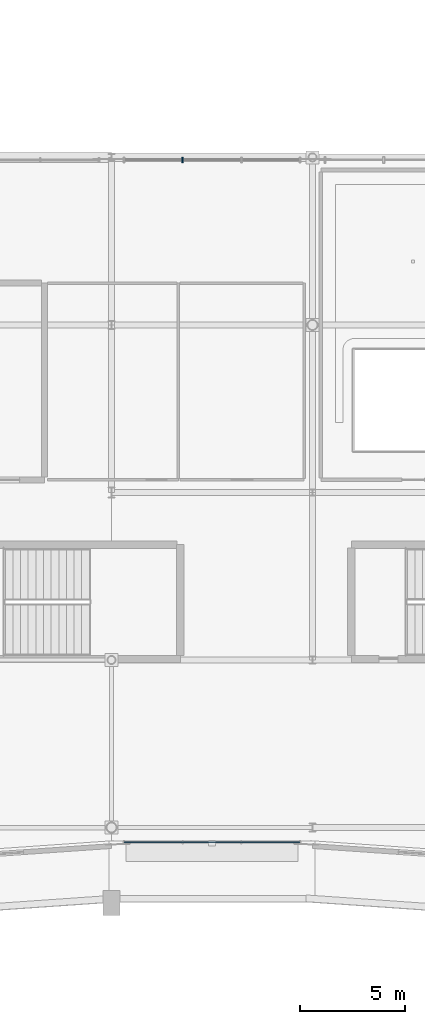
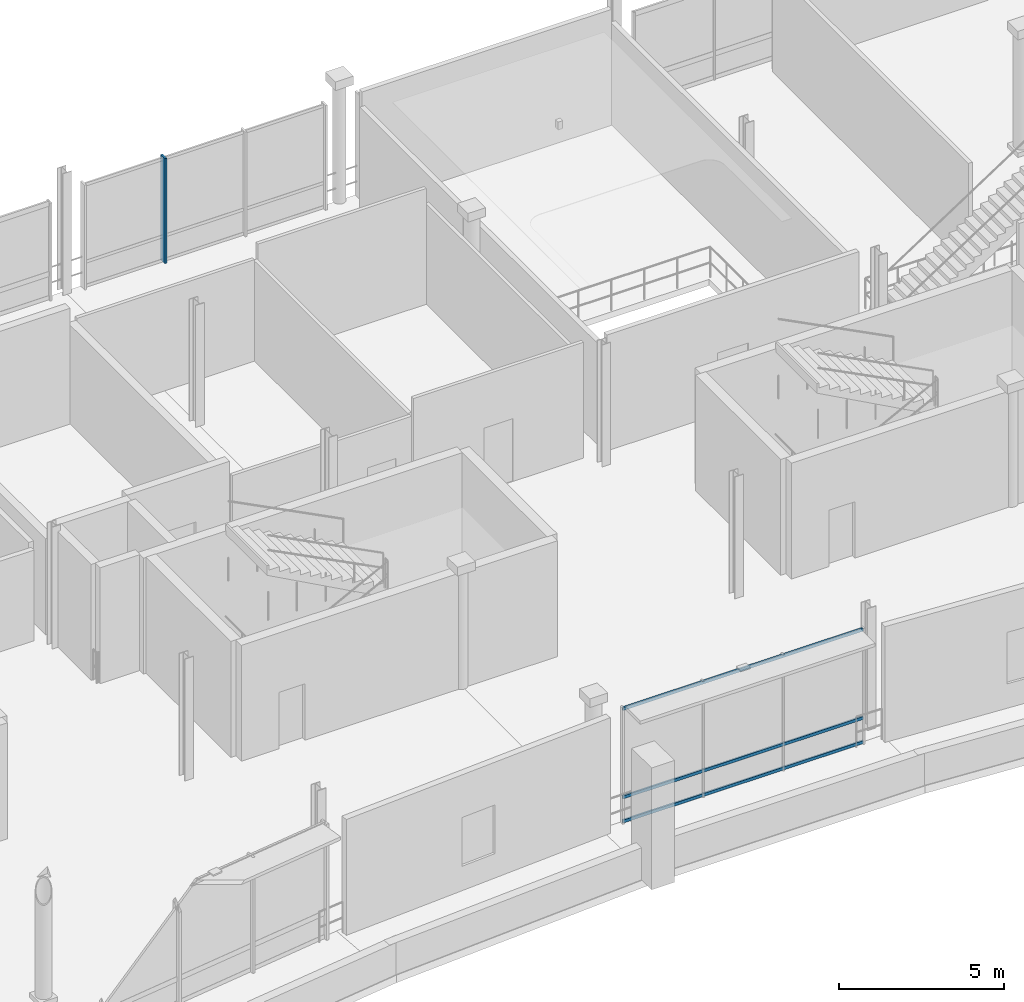
# One storey, part 20 of 59: 4 members, 2 elements without a shape of their own.
"""IFC4 building model written with IfcOpenShell, lengths in metres."""

from ifc_helpers import new_model, si_unit, direction, frame, origin, origin_2d, place, context, subcontext, project, spatial, rectangle, extrude, material, material_profile, profile_set, type_object, element, aggregate, save


model = new_model("IFC4")

# Units and contexts
model_context = context("Model", 3, precision=1e-05, world=origin(), true_north=direction((0.0, 1.0)))
body_context = subcontext(model_context, "Body", "Model", "MODEL_VIEW")
ifc_project = project(units=[si_unit("LENGTHUNIT", "METRE"), si_unit("AREAUNIT", "SQUARE_METRE"), si_unit("VOLUMEUNIT", "CUBIC_METRE"), si_unit("PLANEANGLEUNIT", "RADIAN"), si_unit("MASSUNIT", "GRAM", prefix="KILO")], contexts=[model_context])

# Site, building, storey
site_placement = place(None, origin())
site = spatial("IfcSite", under=ifc_project, at=site_placement, CompositionType="ELEMENT")
building_placement = place(site_placement, origin())
building = spatial("IfcBuilding", under=site, at=building_placement, Name="Danafjord Basin Convention Centre", CompositionType="ELEMENT")
storey_placement = place(building_placement, frame((0.0, 0.0, 15.89990234375)))
storey = spatial("IfcBuildingStorey", under=building, at=storey_placement, Name="L03", CompositionType="ELEMENT", Elevation=15.89990234375)

# Curtain wall, member
ifc_material_1 = material(Name="Anodised aluminium and triple glazing", Category="aluminium")
curtain_wall_type = type_object("IfcCurtainWallType", Name="CW-CW-TERR", PredefinedType="NOTDEFINED", material=ifc_material_1)
curtain_wall_1_placement = place(storey_placement, origin())
curtain_wall_1 = element("IfcCurtainWall", 1, at=curtain_wall_1_placement, inside=storey, type_object=curtain_wall_type, Name="L03 CW-TERR unitised curtain wall bay 78", PredefinedType="NOTDEFINED")
ifc_material_2 = material(Name="Anodised aluminium EN AW-6060", Category="aluminium")
ifc_material_profile_1 = material_profile(ifc_material_2, rectangle(XDim=0.070068359375, YDim=0.260009765625, at=origin_2d()), Name="MULL 70x260")
ifc_profile_set_1 = profile_set([ifc_material_profile_1], Name="Anodised aluminium EN AW-6060")
member_type_1 = type_object("IfcMemberType", Name="MEM-ML-260", PredefinedType="MULLION", material=ifc_profile_set_1)
member_1_placement = place(storey_placement, frame((61.0, 39.8798828125, -0.02490234375), z_axis=(0.0, 0.0, 1.0), x_axis=(-1.0, 0.0, 0.0)))
member_1 = element("IfcMember", 2, at=member_1_placement, type_object=member_type_1, Name="CW-L03-078 mullion 3", PredefinedType="MULLION", context=body_context, shape_type="SweptSolid", body=[
    extrude(rectangle(XDim=0.070068359375, YDim=0.260009765625, at=origin_2d()), origin(), (0.0, 0.0, 1.0), 3.89111328125),
])
aggregate(curtain_wall_1, [member_1])

# Curtain wall, members
curtain_wall_2_placement = place(storey_placement, origin())
curtain_wall_2 = element("IfcCurtainWall", 3, at=curtain_wall_2_placement, inside=storey, type_object=curtain_wall_type, Name="L03 CW-TERR unitised curtain wall bay 30", PredefinedType="NOTDEFINED")
ifc_material_profile_2 = material_profile(ifc_material_2, rectangle(XDim=0.06005859375, YDim=0.110107421875, at=origin_2d()), Name="TRAN 60x110")
ifc_profile_set_2 = profile_set([ifc_material_profile_2], Name="Anodised aluminium EN AW-6060")
member_type_2 = type_object("IfcMemberType", Name="MEM-TR-110", PredefinedType="USERDEFINED", material=ifc_profile_set_2)
member_2_placement = place(storey_placement, frame((58.199951171875, 7.300048828125, 0.06005859375), z_axis=(1.0, 0.0, 0.0), x_axis=(0.0, 1.0, 0.0)))
member_2 = element("IfcMember", 4, at=member_2_placement, type_object=member_type_2, Name="CW-L03-030 transom 1", ObjectType="TRANSOM", PredefinedType="USERDEFINED", context=body_context, shape_type="SweptSolid", body=[
    extrude(rectangle(XDim=0.06005859375, YDim=0.110107421875, at=origin_2d()), origin(), (0.0, 0.0, 1.0), 8.400146484375),
])
member_3_placement = place(storey_placement, frame((58.199951171875, 7.300048828125, 0.9501953125), z_axis=(1.0, 0.0, 0.0), x_axis=(0.0, 1.0, 0.0)))
member_3 = element("IfcMember", 5, at=member_3_placement, type_object=member_type_2, Name="CW-L03-030 transom 2", ObjectType="TRANSOM", PredefinedType="USERDEFINED", context=body_context, shape_type="SweptSolid", body=[
    extrude(rectangle(XDim=0.06005859375, YDim=0.110107421875, at=origin_2d()), origin(), (0.0, 0.0, 1.0), 8.400146484375),
])
member_4_placement = place(storey_placement, frame((58.199951171875, 7.300048828125, 4.214111328125), z_axis=(1.0, 0.0, 0.0), x_axis=(0.0, 1.0, 0.0)))
member_4 = element("IfcMember", 6, at=member_4_placement, type_object=member_type_2, Name="CW-L03-030 transom 3", ObjectType="TRANSOM", PredefinedType="USERDEFINED", context=body_context, shape_type="SweptSolid", body=[
    extrude(rectangle(XDim=0.06005859375, YDim=0.110107421875, at=origin_2d()), origin(), (0.0, 0.0, 1.0), 8.400146484375),
])
aggregate(curtain_wall_2, [member_2, member_3, member_4])

save(model, "model.ifc")
